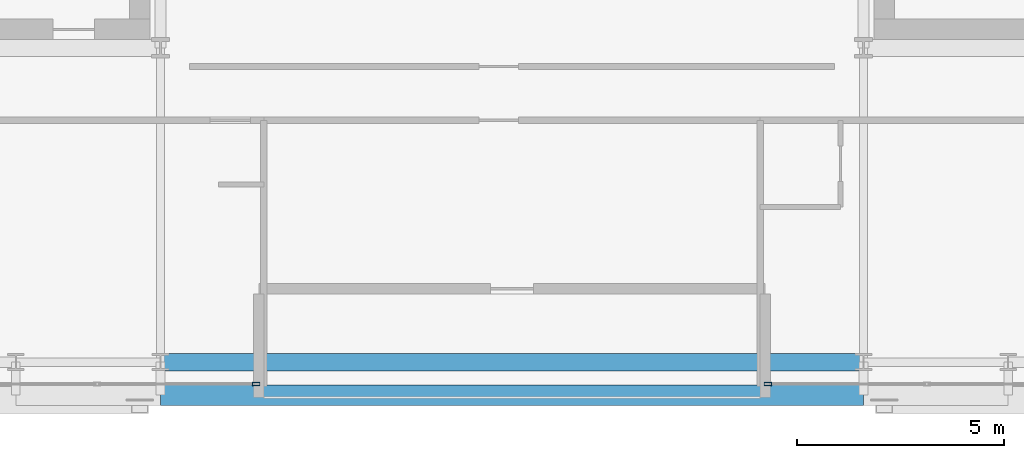
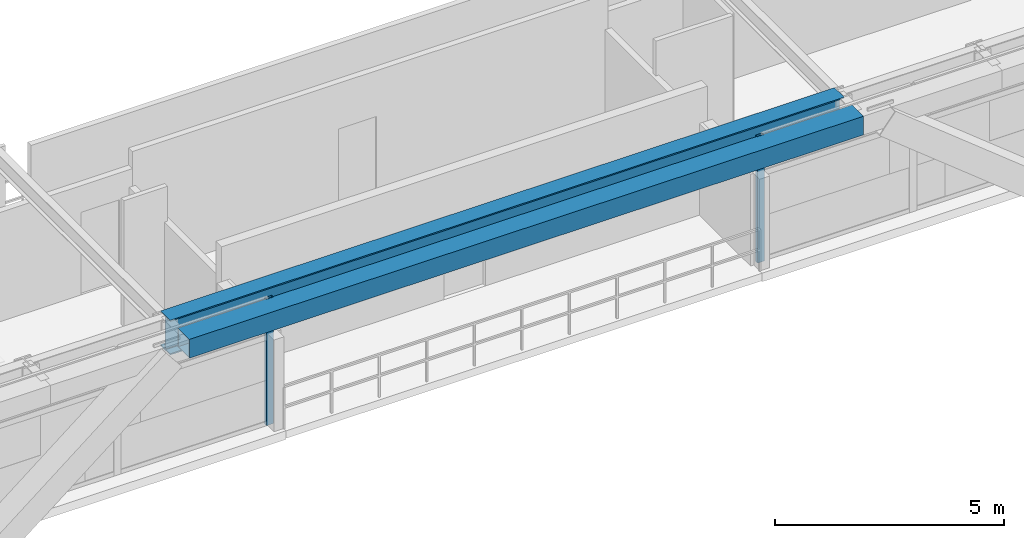
# One storey, part 6 of 31: 2 beams, 2 members, 2 elements without a shape of their own.
"""IFC4 building model written with IfcOpenShell, lengths in metres."""

from ifc_helpers import new_model, si_unit, direction, frame, origin, origin_2d, place, context, subcontext, project, spatial, hollow_rectangle, i_section, extrude, source, transform, mapped, material, layer, layer_set, material_profile, profile_set, type_object, element, aggregate, save


model = new_model("IFC4")

# Units and contexts
model_context = context("Model", 3, precision=1e-05, world=origin(), true_north=direction((0.0, 1.0)))
body_context = subcontext(model_context, "Body", "Model", "MODEL_VIEW")
ifc_project = project(units=[si_unit("LENGTHUNIT", "METRE"), si_unit("AREAUNIT", "SQUARE_METRE"), si_unit("VOLUMEUNIT", "CUBIC_METRE"), si_unit("PLANEANGLEUNIT", "RADIAN"), si_unit("MASSUNIT", "GRAM", prefix="KILO")], contexts=[model_context])

# Site, building, storey
site_placement = place(None, origin())
site = spatial("IfcSite", under=ifc_project, at=site_placement, CompositionType="ELEMENT")
building_placement = place(site_placement, origin())
building = spatial("IfcBuilding", under=site, at=building_placement, Name="Ocotamira Hotel", CompositionType="ELEMENT")
storey_placement = place(building_placement, frame((0.0, 0.0, 199.199951171875)))
storey = spatial("IfcBuildingStorey", under=building, at=storey_placement, Name="L50", CompositionType="ELEMENT", Elevation=199.199951171875)

# Beams
ifc_material_1 = material(Name="Steel ASTM A992 Grade 50", Category="steel")
ifc_material_profile_1 = material_profile(ifc_material_1, i_section(OverallWidth=0.41796875, OverallDepth=0.927001953125, WebThickness=0.019287109375, FlangeThickness=0.031982421875, FilletRadius=0.02392578125, at=origin_2d()), Name="W36X231")
ifc_profile_set_1 = profile_set([ifc_material_profile_1], Name="Steel ASTM A992 Grade 50")
beam_type_1 = type_object("IfcBeamType", Name="BM-GIRD-W36X231", PredefinedType="BEAM", material=ifc_profile_set_1)
shared_shape_1 = source(origin(), body_context, "Body", "SweptSolid", [
    extrude(i_section(OverallWidth=0.41796875, OverallDepth=0.927001953125, WebThickness=0.019287109375, FlangeThickness=0.031982421875, FilletRadius=0.02392578125, at=origin_2d()), origin(), (0.0, 0.0, 1.0), 17.0),
])
beam_1_placement = place(storey_placement, frame((23.5, 6.949951171875, 2.906494140625), z_axis=(1.0, 0.0, 0.0), x_axis=(0.0, 1.0, 0.0)))
element("IfcBeam", 1, at=beam_1_placement, inside=storey, type_object=beam_type_1, Name="L50 Girder Y6.95 X23.5-40.5", PredefinedType="BEAM", context=body_context, shape_type="MappedRepresentation", body=[
    mapped(shared_shape_1, transform((0.0, 0.0, 0.0), scale=1.0)),
])
ifc_material_2 = material(Name="Steel ASTM A500 Grade C", Category="steel")
ifc_material_profile_2 = material_profile(ifc_material_2, hollow_rectangle(XDim=0.5, YDim=0.5, WallThickness=0.02001953125, at=origin_2d()), Name="HSS500X500X20")
ifc_profile_set_2 = profile_set([ifc_material_profile_2], Name="Steel ASTM A500 Grade C")
beam_type_2 = type_object("IfcBeamType", Name="BM-SPAN-HSS500", PredefinedType="USERDEFINED", material=ifc_profile_set_2)
shared_shape_2 = source(origin(), body_context, "Body", "SweptSolid", [
    extrude(hollow_rectangle(XDim=0.5, YDim=0.5, WallThickness=0.02001953125, at=origin_2d()), origin(), (0.0, 0.0, 1.0), 17.0),
])
beam_2_placement = place(storey_placement, frame((23.5, 6.14990234375, 3.1201171875), z_axis=(1.0, 0.0, 0.0), x_axis=(0.0, 1.0, 0.0)))
element("IfcBeam", 2, at=beam_2_placement, inside=storey, type_object=beam_type_2, Name="L50 Edge Spandrel S X23.5-40.5", ObjectType="SPANDREL", PredefinedType="USERDEFINED", context=body_context, shape_type="MappedRepresentation", body=[
    mapped(shared_shape_2, transform((0.0, 0.0, 0.0), scale=1.0)),
])

# Curtain wall, member
ifc_material_3 = material(Name="Anodised pale-metal aluminium and solar glass", Category="aluminium")
ifc_layer = layer(ifc_material_3, 0.199951171875)
ifc_layer_set = layer_set([ifc_layer], Name="Anodised pale-metal aluminium and solar glass")
curtain_wall_type = type_object("IfcCurtainWallType", Name="CW-SYS4-Z3", PredefinedType="NOTDEFINED", material=ifc_layer_set)
curtain_wall_1_placement = place(storey_placement, origin())
curtain_wall_1 = element("IfcCurtainWall", 3, at=curtain_wall_1_placement, inside=storey, type_object=curtain_wall_type, Name="L50 Curtain Wall CW-4 CW-L50-S1", PredefinedType="NOTDEFINED")
ifc_material_4 = material(Name="Anodised pale-metal aluminium 6063-T6", Category="aluminium")
ifc_material_profile_3 = material_profile(ifc_material_4, hollow_rectangle(XDim=0.080078125, YDim=0.179931640625, WallThickness=0.006103515625, at=origin_2d()), Name="HSS180X80X6")
ifc_profile_set_3 = profile_set([ifc_material_profile_3], Name="Anodised pale-metal aluminium 6063-T6")
member_type = type_object("IfcMemberType", Name="CWM-180X75", PredefinedType="MULLION", material=ifc_profile_set_3)
shared_shape_3 = source(origin(), body_context, "Body", "SweptSolid", [
    extrude(hollow_rectangle(XDim=0.080078125, YDim=0.179931640625, WallThickness=0.006103515625, at=origin_2d()), origin(), (0.0, 0.0, 1.0), 3.3701171875),
])
member_1_placement = place(storey_placement, frame((25.81005859375, 6.419921875, 0.0), z_axis=(0.0, 0.0, 1.0), x_axis=(0.0, 1.0, 0.0)))
member_1 = element("IfcMember", 4, at=member_1_placement, type_object=member_type, Name="CW-4 mullion 4", PredefinedType="MULLION", context=body_context, shape_type="MappedRepresentation", body=[
    mapped(shared_shape_3, transform((0.0, 0.0, 0.0), scale=1.0)),
])
aggregate(curtain_wall_1, [member_1])

curtain_wall_2_placement = place(storey_placement, origin())
curtain_wall_2 = element("IfcCurtainWall", 5, at=curtain_wall_2_placement, inside=storey, type_object=curtain_wall_type, Name="L50 Curtain Wall CW-4 CW-L50-S2", PredefinedType="NOTDEFINED")
member_2_placement = place(storey_placement, frame((38.18994140625, 6.419921875, 0.0), z_axis=(0.0, 0.0, 1.0), x_axis=(0.0, 1.0, 0.0)))
member_2 = element("IfcMember", 6, at=member_2_placement, type_object=member_type, Name="CW-4 mullion 1", PredefinedType="MULLION", context=body_context, shape_type="MappedRepresentation", body=[
    mapped(shared_shape_3, transform((0.0, 0.0, 0.0), scale=1.0)),
])
aggregate(curtain_wall_2, [member_2])

save(model, "model.ifc")
